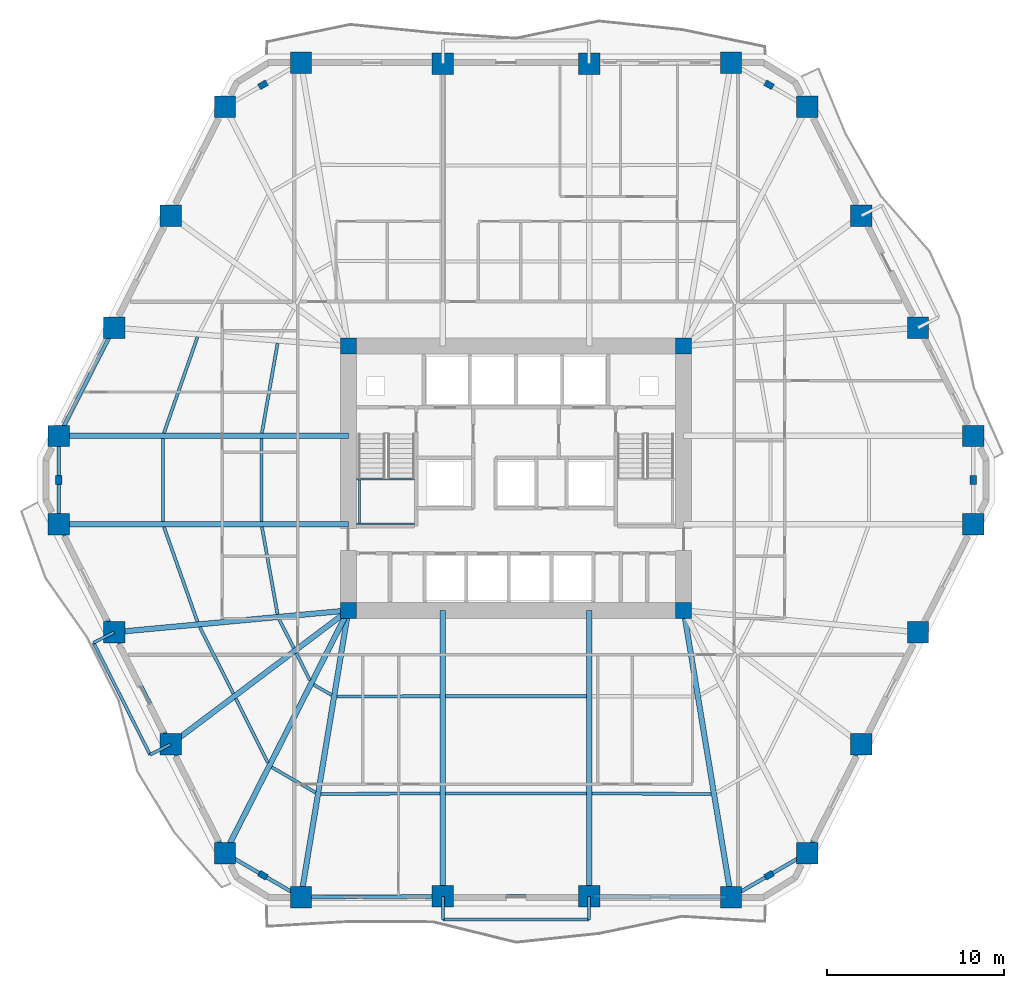
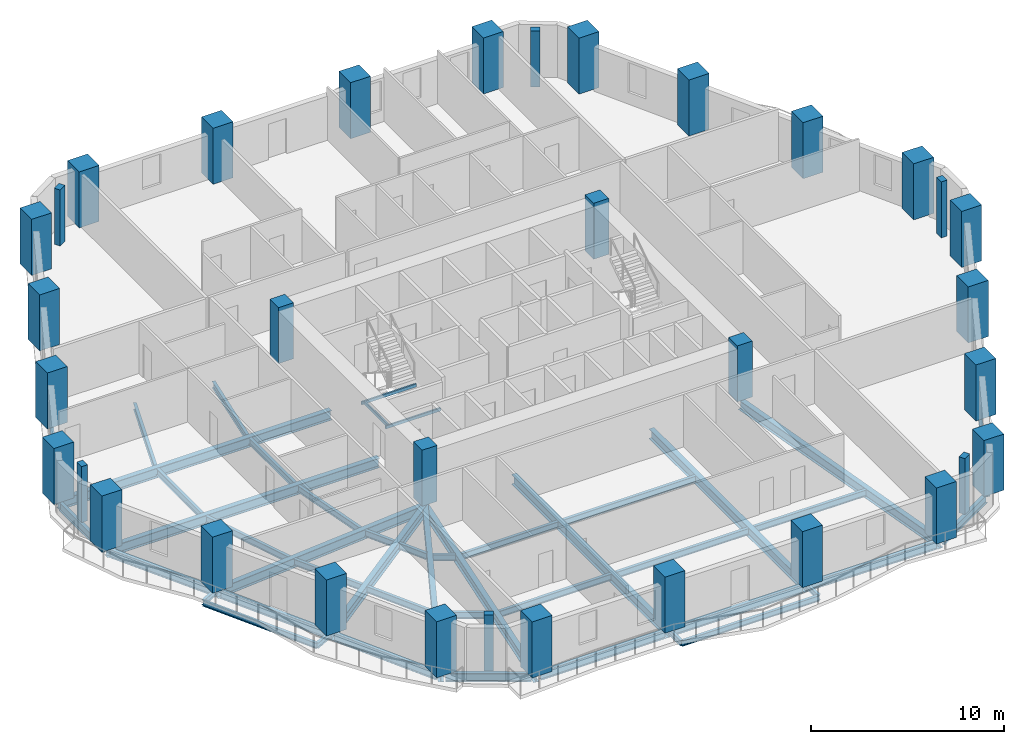
# One storey, part 1 of 11: 46 beams, 34 columns.
"""IFC4 building model written with IfcOpenShell, lengths in metres."""

from ifc_helpers import new_model, si_unit, direction, frame, origin, origin_2d, place, context, subcontext, project, spatial, rectangle, hollow_rectangle, i_section, extrude, material, material_profile, profile_set, type_object, element, save


model = new_model("IFC4")

# Units and contexts
model_context = context("Model", 3, precision=1e-05, world=origin(), true_north=direction((0.0, 1.0)))
body_context = subcontext(model_context, "Body", "Model", "MODEL_VIEW")
ifc_project = project(units=[si_unit("LENGTHUNIT", "METRE"), si_unit("AREAUNIT", "SQUARE_METRE"), si_unit("VOLUMEUNIT", "CUBIC_METRE"), si_unit("PLANEANGLEUNIT", "RADIAN"), si_unit("MASSUNIT", "GRAM", prefix="KILO")], contexts=[model_context])

# Site, building, storey
site_placement = place(None, origin())
site = spatial("IfcSite", under=ifc_project, at=site_placement, CompositionType="ELEMENT")
building_placement = place(site_placement, origin())
building = spatial("IfcBuilding", under=site, at=building_placement, Name="Cinnabar Lancet Tower", CompositionType="ELEMENT")
storey_placement = place(building_placement, frame((0.0, 0.0, 46.199951171875)))
storey = spatial("IfcBuildingStorey", under=building, at=storey_placement, Name="L11", CompositionType="ELEMENT", Elevation=46.199951171875)

# Columns
ifc_material_1 = material(Name="Concrete C80/95", Category="concrete")
ifc_material_profile_1 = material_profile(ifc_material_1, rectangle(XDim=0.89990234375, YDim=0.89990234375, at=origin_2d()), Name="RC-COL 900x900")
ifc_profile_set_1 = profile_set([ifc_material_profile_1], Name="Concrete C80/95")
column_type_1 = type_object("IfcColumnType", Name="STR-COL-CORE-900", PredefinedType="COLUMN", material=ifc_profile_set_1)
for number, where, z_axis, x_axis, name in (
    (1, (22.949951171875, 18.449951171875, 0.0), (0.0, 0.0, 1.0), (1.0, 0.0, 0.0), "L11 Core Corner Column SW"),
    (2, (41.85009765625, 18.449951171875, 0.0), (0.0, 0.0, 1.0), (1.0, 0.0, 0.0), "L11 Core Corner Column SE"),
    (3, (41.85009765625, 33.35009765625, 0.0), (0.0, 0.0, 1.0), (1.0, 0.0, 0.0), "L11 Core Corner Column NE"),
    (4, (22.949951171875, 33.35009765625, 0.0), (0.0, 0.0, 1.0), (1.0, 0.0, 0.0), "L11 Core Corner Column NW"),
):
    element("IfcColumn", number, at=place(storey_placement, frame(where, z_axis=z_axis, x_axis=x_axis)), inside=storey, type_object=column_type_1, Name=name, PredefinedType="COLUMN", context=body_context, shape_type="SweptSolid", body=[
        extrude(rectangle(XDim=0.89990234375, YDim=0.89990234375, at=origin_2d()), origin(), (0.0, 0.0, 1.0), 3.550048828125),
    ])
ifc_material_2 = material(Name="Concrete C60/75", Category="concrete")
ifc_material_profile_2 = material_profile(ifc_material_2, rectangle(XDim=0.5, YDim=0.35009765625, at=origin_2d()), Name="RC-PIL 500x350")
ifc_profile_set_2 = profile_set([ifc_material_profile_2], Name="Concrete C60/75")
column_type_2 = type_object("IfcColumnType", Name="STR-COL-PIL-500", PredefinedType="PILASTER", material=ifc_profile_set_2)
for number, where, z_axis, x_axis, name in (
    (5, (18.139892578125, 3.531005859375, 0.0), (0.0, 0.0, 1.0), (0.865195182343, -0.501435236546, 0.0), "L11 Chamfered Corner Pilaster 1"),
    (6, (46.659912109375, 3.531005859375, 0.0), (0.0, 0.0, 1.0), (0.865195182343, 0.501435236546, 0.0), "L11 Chamfered Corner Pilaster 2"),
    (7, (58.16796875, 25.800048828125, 0.0), (0.0, 0.0, 1.0), (0.0, 1.0, 0.0), "L11 Chamfered Corner Pilaster 3"),
    (8, (46.659912109375, 48.069091796875, 0.0), (0.0, 0.0, 1.0), (-0.865195182343, 0.501435236546, 0.0), "L11 Chamfered Corner Pilaster 4"),
    (9, (18.139892578125, 48.069091796875, 0.0), (0.0, 0.0, 1.0), (-0.865195182343, -0.501435236546, 0.0), "L11 Chamfered Corner Pilaster 5"),
    (10, (6.632080078125, 25.800048828125, 0.0), (0.0, 0.0, 1.0), (0.0, -1.0, 0.0), "L11 Chamfered Corner Pilaster 6"),
):
    element("IfcColumn", number, at=place(storey_placement, frame(where, z_axis=z_axis, x_axis=x_axis)), inside=storey, type_object=column_type_2, Name=name, PredefinedType="PILASTER", context=body_context, shape_type="SweptSolid", body=[
        extrude(rectangle(XDim=0.5, YDim=0.35009765625, at=origin_2d()), origin(), (0.0, 0.0, 1.0), 3.550048828125),
    ])
ifc_material_3 = material(Name="Concrete C80/95", Category="concrete")
ifc_material_profile_3 = material_profile(ifc_material_3, rectangle(XDim=1.199951171875, YDim=1.199951171875, at=origin_2d()), Name="RC-COL 1200x1200")
ifc_profile_set_3 = profile_set([ifc_material_profile_3], Name="Concrete C80/95")
column_type_3 = type_object("IfcColumnType", Name="STR-COL-TUBE-1200", PredefinedType="COLUMN", material=ifc_profile_set_3)
for number, where, z_axis, x_axis, name in (
    (11, (20.282958984375, 2.2890625, 0.0), (0.0, 0.0, 1.0), (1.0, 0.0, 0.0), "L11 Perimeter Tube Column 1"),
    (12, (28.278076171875, 2.342041015625, 0.0), (0.0, 0.0, 1.0), (1.0, 0.0, 0.0), "L11 Perimeter Tube Column 2"),
    (13, (36.52197265625, 2.342041015625, 0.0), (0.0, 0.0, 1.0), (1.0, 0.0, 0.0), "L11 Perimeter Tube Column 3"),
    (14, (44.51708984375, 2.2890625, 0.0), (0.0, 0.0, 1.0), (1.0, 0.0, 0.0), "L11 Perimeter Tube Column 4"),
    (15, (48.802978515625, 4.77294921875, 0.0), (0.0, 0.0, 1.0), (1.0, 0.0, 0.0), "L11 Perimeter Tube Column 5"),
    (16, (51.85888671875, 10.908935546875, 0.0), (0.0, 0.0, 1.0), (1.0, 0.0, 0.0), "L11 Perimeter Tube Column 6"),
    (17, (55.0458984375, 17.219970703125, 0.0), (0.0, 0.0, 1.0), (1.0, 0.0, 0.0), "L11 Perimeter Tube Column 7"),
    (18, (58.16796875, 23.31396484375, 0.0), (0.0, 0.0, 1.0), (1.0, 0.0, 0.0), "L11 Perimeter Tube Column 8"),
    (19, (58.16796875, 28.285888671875, 0.0), (0.0, 0.0, 1.0), (1.0, 0.0, 0.0), "L11 Perimeter Tube Column 9"),
    (20, (55.0458984375, 34.3798828125, 0.0), (0.0, 0.0, 1.0), (1.0, 0.0, 0.0), "L11 Perimeter Tube Column 10"),
    (21, (51.85888671875, 40.69091796875, 0.0), (0.0, 0.0, 1.0), (1.0, 0.0, 0.0), "L11 Perimeter Tube Column 11"),
    (22, (48.802978515625, 46.826904296875, 0.0), (0.0, 0.0, 1.0), (1.0, 0.0, 0.0), "L11 Perimeter Tube Column 12"),
    (23, (44.51708984375, 49.31103515625, 0.0), (0.0, 0.0, 1.0), (1.0, 0.0, 0.0), "L11 Perimeter Tube Column 13"),
    (24, (36.52197265625, 49.258056640625, 0.0), (0.0, 0.0, 1.0), (1.0, 0.0, 0.0), "L11 Perimeter Tube Column 14"),
    (25, (28.278076171875, 49.258056640625, 0.0), (0.0, 0.0, 1.0), (1.0, 0.0, 0.0), "L11 Perimeter Tube Column 15"),
    (26, (20.282958984375, 49.31103515625, 0.0), (0.0, 0.0, 1.0), (1.0, 0.0, 0.0), "L11 Perimeter Tube Column 16"),
    (27, (15.9970703125, 46.826904296875, 0.0), (0.0, 0.0, 1.0), (1.0, 0.0, 0.0), "L11 Perimeter Tube Column 17"),
    (28, (12.94091796875, 40.69091796875, 0.0), (0.0, 0.0, 1.0), (1.0, 0.0, 0.0), "L11 Perimeter Tube Column 18"),
    (29, (9.75390625, 34.3798828125, 0.0), (0.0, 0.0, 1.0), (1.0, 0.0, 0.0), "L11 Perimeter Tube Column 19"),
    (30, (6.632080078125, 28.285888671875, 0.0), (0.0, 0.0, 1.0), (1.0, 0.0, 0.0), "L11 Perimeter Tube Column 20"),
    (31, (6.632080078125, 23.31396484375, 0.0), (0.0, 0.0, 1.0), (1.0, 0.0, 0.0), "L11 Perimeter Tube Column 21"),
    (32, (9.75390625, 17.219970703125, 0.0), (0.0, 0.0, 1.0), (1.0, 0.0, 0.0), "L11 Perimeter Tube Column 22"),
    (33, (12.94091796875, 10.908935546875, 0.0), (0.0, 0.0, 1.0), (1.0, 0.0, 0.0), "L11 Perimeter Tube Column 23"),
    (34, (15.9970703125, 4.77294921875, 0.0), (0.0, 0.0, 1.0), (1.0, 0.0, 0.0), "L11 Perimeter Tube Column 24"),
):
    element("IfcColumn", number, at=place(storey_placement, frame(where, z_axis=z_axis, x_axis=x_axis)), inside=storey, type_object=column_type_3, Name=name, PredefinedType="COLUMN", context=body_context, shape_type="SweptSolid", body=[
        extrude(rectangle(XDim=1.199951171875, YDim=1.199951171875, at=origin_2d()), origin(), (0.0, 0.0, 1.0), 3.550048828125),
    ])

# Beams
ifc_material_4 = material(Name="Structural steel S355", Category="steel")
ifc_material_profile_4 = material_profile(ifc_material_4, i_section(OverallWidth=0.177978515625, OverallDepth=0.406494140625, WebThickness=0.0078125, FlangeThickness=0.0126953125, FilletRadius=0.01025390625, at=origin_2d()), Name="UKB 406x178x60")
ifc_profile_set_4 = profile_set([ifc_material_profile_4], Name="Structural steel S355")
beam_type_1 = type_object("IfcBeamType", Name="STR-BM-JST-406", PredefinedType="JOIST", material=ifc_profile_set_4)
beam_1_placement = place(storey_placement, frame((12.56103515625, 23.159912109375, -0.4228515625), z_axis=(0.333349133153, -0.942803455353, 0.0), x_axis=(0.942803455353, 0.333349133153, 0.0)))
element("IfcBeam", 35, at=beam_1_placement, inside=storey, type_object=beam_type_1, Name="L11 Secondary Floor Joist 1", PredefinedType="JOIST", context=body_context, shape_type="SweptSolid", body=[
    extrude(i_section(OverallWidth=0.177978515625, OverallDepth=0.406494140625, WebThickness=0.0078125, FlangeThickness=0.0126953125, FilletRadius=0.01025390625, at=origin_2d()), origin(), (0.0, 0.0, 1.0), 5.67236328125),
])
beam_2_placement = place(storey_placement, frame((18.08203125, 23.159912109375, -0.4228515625), z_axis=(0.176227857104, -0.984349400559, 0.0), x_axis=(0.984349400559, 0.176227857104, 0.0)))
element("IfcBeam", 36, at=beam_2_placement, inside=storey, type_object=beam_type_1, Name="L11 Secondary Floor Joist 2", PredefinedType="JOIST", context=body_context, shape_type="SweptSolid", body=[
    extrude(i_section(OverallWidth=0.177978515625, OverallDepth=0.406494140625, WebThickness=0.0078125, FlangeThickness=0.0126953125, FilletRadius=0.01025390625, at=origin_2d()), origin(), (0.0, 0.0, 1.0), 5.00537109375),
])
beam_3_placement = place(storey_placement, frame((14.5791015625, 17.51611328125, -0.4228515625), z_axis=(0.450717414682, -0.892666685893, 0.0), x_axis=(0.892666685893, 0.450717414682, 0.0)))
element("IfcBeam", 37, at=beam_3_placement, inside=storey, type_object=beam_type_1, Name="L11 Secondary Floor Joist 3", PredefinedType="JOIST", context=body_context, shape_type="SweptSolid", body=[
    extrude(i_section(OverallWidth=0.177978515625, OverallDepth=0.406494140625, WebThickness=0.0078125, FlangeThickness=0.0126953125, FilletRadius=0.01025390625, at=origin_2d()), origin(), (0.0, 0.0, 1.0), 4.204345703125),
])
beam_4_placement = place(storey_placement, frame((19.06591796875, 17.93408203125, -0.4228515625), z_axis=(0.450519589093, -0.892766542744, 0.0), x_axis=(0.892766542744, 0.450519589093, 0.0)))
element("IfcBeam", 38, at=beam_4_placement, inside=storey, type_object=beam_type_1, Name="L11 Secondary Floor Joist 4", PredefinedType="JOIST", context=body_context, shape_type="SweptSolid", body=[
    extrude(i_section(OverallWidth=0.177978515625, OverallDepth=0.406494140625, WebThickness=0.0078125, FlangeThickness=0.0126953125, FilletRadius=0.01025390625, at=origin_2d()), origin(), (0.0, 0.0, 1.0), 1.80029296875),
])
beam_5_placement = place(storey_placement, frame((16.614013671875, 13.48388671875, -0.4228515625), z_axis=(0.445835127839, -0.895115098065, 0.0), x_axis=(0.895115098065, 0.445835127839, 0.0)))
element("IfcBeam", 39, at=beam_5_placement, inside=storey, type_object=beam_type_1, Name="L11 Secondary Floor Joist 5", PredefinedType="JOIST", context=body_context, shape_type="SweptSolid", body=[
    extrude(i_section(OverallWidth=0.177978515625, OverallDepth=0.406494140625, WebThickness=0.0078125, FlangeThickness=0.0126953125, FilletRadius=0.01025390625, at=origin_2d()), origin(), (0.0, 0.0, 1.0), 4.03955078125),
])
beam_6_placement = place(storey_placement, frame((20.01708984375, 16.048095703125, -0.4228515625), z_axis=(0.44578468599, -0.895140220154, 0.0), x_axis=(0.895140220154, 0.44578468599, 0.0)))
element("IfcBeam", 40, at=beam_6_placement, inside=storey, type_object=beam_type_1, Name="L11 Secondary Floor Joist 6", PredefinedType="JOIST", context=body_context, shape_type="SweptSolid", body=[
    extrude(i_section(OverallWidth=0.177978515625, OverallDepth=0.406494140625, WebThickness=0.0078125, FlangeThickness=0.0126953125, FilletRadius=0.01025390625, at=origin_2d()), origin(), (0.0, 0.0, 1.0), 1.709228515625),
])
beam_7_placement = place(storey_placement, frame((18.633056640625, 9.6201171875, -0.4228515625), z_axis=(0.865076496111, -0.501639966387, 0.0), x_axis=(0.501639966387, 0.865076496111, 0.0)))
element("IfcBeam", 41, at=beam_7_placement, inside=storey, type_object=beam_type_1, Name="L11 Secondary Floor Joist 7", PredefinedType="JOIST", context=body_context, shape_type="SweptSolid", body=[
    extrude(i_section(OverallWidth=0.177978515625, OverallDepth=0.406494140625, WebThickness=0.0078125, FlangeThickness=0.0126953125, FilletRadius=0.01025390625, at=origin_2d()), origin(), (0.0, 0.0, 1.0), 2.85302734375),
])
beam_8_placement = place(storey_placement, frame((20.9970703125, 14.27001953125, -0.4228515625), z_axis=(0.865192550274, -0.50143977799, 0.0), x_axis=(0.50143977799, 0.865192550274, 0.0)))
element("IfcBeam", 42, at=beam_8_placement, inside=storey, type_object=beam_type_1, Name="L11 Secondary Floor Joist 8", PredefinedType="JOIST", context=body_context, shape_type="SweptSolid", body=[
    extrude(i_section(OverallWidth=0.177978515625, OverallDepth=0.406494140625, WebThickness=0.0078125, FlangeThickness=0.0126953125, FilletRadius=0.01025390625, at=origin_2d()), origin(), (0.0, 0.0, 1.0), 1.16845703125),
])
beam_9_placement = place(storey_placement, frame((21.39892578125, 8.10791015625, -0.4228515625), z_axis=(0.999988691939, 0.004755627628, 0.0), x_axis=(-0.004755627628, 0.999988691939, 0.0)))
element("IfcBeam", 43, at=beam_9_placement, inside=storey, type_object=beam_type_1, Name="L11 Secondary Floor Joist 9", PredefinedType="JOIST", context=body_context, shape_type="SweptSolid", body=[
    extrude(i_section(OverallWidth=0.177978515625, OverallDepth=0.406494140625, WebThickness=0.0078125, FlangeThickness=0.0126953125, FilletRadius=0.01025390625, at=origin_2d()), origin(), (0.0, 0.0, 1.0), 6.72509765625),
])
beam_10_placement = place(storey_placement, frame((22.305908203125, 13.60205078125, -0.4228515625), z_axis=(0.999996724007, 0.002559682773, 0.0), x_axis=(-0.002559682773, 0.999996724007, 0.0)))
element("IfcBeam", 44, at=beam_10_placement, inside=storey, type_object=beam_type_1, Name="L11 Secondary Floor Joist 10", PredefinedType="JOIST", context=body_context, shape_type="SweptSolid", body=[
    extrude(i_section(OverallWidth=0.177978515625, OverallDepth=0.406494140625, WebThickness=0.0078125, FlangeThickness=0.0126953125, FilletRadius=0.01025390625, at=origin_2d()), origin(), (0.0, 0.0, 1.0), 5.818115234375),
])
for number, where, z_axis, x_axis, name in (
    (45, (28.431884765625, 8.14111328125, -0.4228515625), (1.0, 0.0, 0.0), (0.0, 1.0, 0.0), "L11 Secondary Floor Joist 11"),
    (46, (28.431884765625, 13.617919921875, -0.4228515625), (1.0, 0.0, 0.0), (0.0, 1.0, 0.0), "L11 Secondary Floor Joist 12"),
):
    element("IfcBeam", number, at=place(storey_placement, frame(where, z_axis=z_axis, x_axis=x_axis)), inside=storey, type_object=beam_type_1, Name=name, PredefinedType="JOIST", context=body_context, shape_type="SweptSolid", body=[
        extrude(i_section(OverallWidth=0.177978515625, OverallDepth=0.406494140625, WebThickness=0.0078125, FlangeThickness=0.0126953125, FilletRadius=0.01025390625, at=origin_2d()), origin(), (0.0, 0.0, 1.0), 7.93603515625),
    ])
beam_11_placement = place(storey_placement, frame((36.676025390625, 8.139892578125, -0.4228515625), z_axis=(0.999988691118, -0.004755800274, 0.0), x_axis=(0.004755800274, 0.999988691118, 0.0)))
element("IfcBeam", 47, at=beam_11_placement, inside=storey, type_object=beam_type_1, Name="L11 Secondary Floor Joist 13", PredefinedType="JOIST", context=body_context, shape_type="SweptSolid", body=[
    extrude(i_section(OverallWidth=0.177978515625, OverallDepth=0.406494140625, WebThickness=0.0078125, FlangeThickness=0.0126953125, FilletRadius=0.01025390625, at=origin_2d()), origin(), (0.0, 0.0, 1.0), 6.724853515625),
])
beam_12_placement = place(storey_placement, frame((14.451904296875, 33.85888671875, -0.4228515625), z_axis=(-0.329607609001, -0.944118013857, 0.0), x_axis=(0.944118013857, -0.329607609001, 0.0)))
element("IfcBeam", 48, at=beam_12_placement, inside=storey, type_object=beam_type_1, Name="L11 Secondary Floor Joist 45", PredefinedType="JOIST", context=body_context, shape_type="SweptSolid", body=[
    extrude(i_section(OverallWidth=0.177978515625, OverallDepth=0.406494140625, WebThickness=0.0078125, FlangeThickness=0.0126953125, FilletRadius=0.01025390625, at=origin_2d()), origin(), (0.0, 0.0, 1.0), 5.73974609375),
])
beam_13_placement = place(storey_placement, frame((18.965087890625, 33.507080078125, -0.4228515625), z_axis=(-0.171867959611, -0.985119994954, 0.0), x_axis=(0.985119994954, -0.171867959611, 0.0)))
element("IfcBeam", 49, at=beam_13_placement, inside=storey, type_object=beam_type_1, Name="L11 Secondary Floor Joist 46", PredefinedType="JOIST", context=body_context, shape_type="SweptSolid", body=[
    extrude(i_section(OverallWidth=0.177978515625, OverallDepth=0.406494140625, WebThickness=0.0078125, FlangeThickness=0.0126953125, FilletRadius=0.01025390625, at=origin_2d()), origin(), (0.0, 0.0, 1.0), 5.1435546875),
])
for number, where, z_axis, x_axis, name in (
    (50, (12.506103515625, 28.132080078125, -0.4228515625), (0.0, -1.0, 0.0), (1.0, 0.0, 0.0), "L11 Secondary Floor Joist 47"),
    (51, (18.054931640625, 28.132080078125, -0.4228515625), (0.0, -1.0, 0.0), (1.0, 0.0, 0.0), "L11 Secondary Floor Joist 48"),
):
    element("IfcBeam", number, at=place(storey_placement, frame(where, z_axis=z_axis, x_axis=x_axis)), inside=storey, type_object=beam_type_1, Name=name, PredefinedType="JOIST", context=body_context, shape_type="SweptSolid", body=[
        extrude(i_section(OverallWidth=0.177978515625, OverallDepth=0.406494140625, WebThickness=0.0078125, FlangeThickness=0.0126953125, FilletRadius=0.01025390625, at=origin_2d()), origin(), (0.0, 0.0, 1.0), 4.6640625),
    ])
ifc_material_5 = material(Name="Structural steel S355", Category="steel")
ifc_material_profile_5 = material_profile(ifc_material_5, hollow_rectangle(XDim=0.10009765625, YDim=0.199951171875, WallThickness=0.008056640625, InnerFilletRadius=0.00390625, OuterFilletRadius=0.011962890625, at=origin_2d()), Name="RHS 200x100x8")
ifc_profile_set_5 = profile_set([ifc_material_profile_5], Name="Structural steel S355")
beam_type_2 = type_object("IfcBeamType", Name="STR-BM-LND-203", PredefinedType="BEAM", material=ifc_profile_set_5)
for number, where, z_axis, x_axis, name in (
    (52, (23.39990234375, 23.330078125, 1.47509765625), (1.0, 0.0, 0.0), (0.0, 1.0, 0.0), "L11 ST-1-L11 Landing Support Beam S"),
    (53, (23.39990234375, 25.844970703125, 1.47509765625), (1.0, 0.0, 0.0), (0.0, 1.0, 0.0), "L11 ST-1-L11 Landing Support Beam N"),
):
    element("IfcBeam", number, at=place(storey_placement, frame(where, z_axis=z_axis, x_axis=x_axis)), inside=storey, type_object=beam_type_2, Name=name, PredefinedType="BEAM", context=body_context, shape_type="SweptSolid", body=[
        extrude(hollow_rectangle(XDim=0.10009765625, YDim=0.199951171875, WallThickness=0.008056640625, InnerFilletRadius=0.00390625, OuterFilletRadius=0.011962890625, at=origin_2d()), origin(), (0.0, 0.0, 1.0), 3.280029296875),
    ])
beam_14_placement = place(storey_placement, frame((23.580078125, 23.3798828125, 1.47509765625), z_axis=(0.0, 1.0, 0.0), x_axis=(-1.0, 0.0, 0.0)))
element("IfcBeam", 54, at=beam_14_placement, inside=storey, type_object=beam_type_2, Name="L11 ST-1-L11 Landing Side Trimmer Beam", PredefinedType="BEAM", context=body_context, shape_type="SweptSolid", body=[
    extrude(hollow_rectangle(XDim=0.10009765625, YDim=0.199951171875, WallThickness=0.008056640625, InnerFilletRadius=0.00390625, OuterFilletRadius=0.011962890625, at=origin_2d()), origin(), (0.0, 0.0, 1.0), 2.4150390625),
])
ifc_material_6 = material(Name="Structural steel S355", Category="steel")
ifc_material_profile_6 = material_profile(ifc_material_6, i_section(OverallWidth=0.209228515625, OverallDepth=0.533203125, WebThickness=0.010009765625, FlangeThickness=0.015625, FilletRadius=0.0126953125, at=origin_2d()), Name="UKB 533x210x92")
ifc_profile_set_6 = profile_set([ifc_material_profile_6], Name="Structural steel S355")
beam_type_3 = type_object("IfcBeamType", Name="STR-BM-SPN-533", PredefinedType="SPANDREL", material=ifc_profile_set_6)
beam_15_placement = place(storey_placement, frame((20.532958984375, 2.291015625, -0.487060546875), z_axis=(0.99997856757, 0.006547090947, 0.0), x_axis=(-0.006547090947, 0.99997856757, 0.0)))
element("IfcBeam", 55, at=beam_15_placement, inside=storey, type_object=beam_type_3, Name="L11 Perimeter Spandrel 1", PredefinedType="SPANDREL", context=body_context, shape_type="SweptSolid", body=[
    extrude(i_section(OverallWidth=0.209228515625, OverallDepth=0.533203125, WebThickness=0.010009765625, FlangeThickness=0.015625, FilletRadius=0.0126953125, at=origin_2d()), origin(), (0.0, 0.0, 1.0), 7.495361328125),
])
beam_16_placement = place(storey_placement, frame((28.528076171875, 2.342041015625, -0.487060546875), z_axis=(1.0, 0.0, 0.0), x_axis=(0.0, 1.0, 0.0)))
element("IfcBeam", 56, at=beam_16_placement, inside=storey, type_object=beam_type_3, Name="L11 Perimeter Spandrel 2", PredefinedType="SPANDREL", context=body_context, shape_type="SweptSolid", body=[
    extrude(i_section(OverallWidth=0.209228515625, OverallDepth=0.533203125, WebThickness=0.010009765625, FlangeThickness=0.015625, FilletRadius=0.0126953125, at=origin_2d()), origin(), (0.0, 0.0, 1.0), 7.743896484375),
])
beam_17_placement = place(storey_placement, frame((36.77197265625, 2.340087890625, -0.487060546875), z_axis=(0.99997856757, -0.006547090947, 0.0), x_axis=(0.006547090947, 0.99997856757, 0.0)))
element("IfcBeam", 57, at=beam_17_placement, inside=storey, type_object=beam_type_3, Name="L11 Perimeter Spandrel 3", PredefinedType="SPANDREL", context=body_context, shape_type="SweptSolid", body=[
    extrude(i_section(OverallWidth=0.209228515625, OverallDepth=0.533203125, WebThickness=0.010009765625, FlangeThickness=0.015625, FilletRadius=0.0126953125, at=origin_2d()), origin(), (0.0, 0.0, 1.0), 7.495361328125),
])
beam_18_placement = place(storey_placement, frame((44.73291015625, 2.4140625, -0.487060546875), z_axis=(0.865171017323, 0.501476929463, 0.0), x_axis=(-0.501476929463, 0.865171017323, 0.0)))
element("IfcBeam", 58, at=beam_18_placement, inside=storey, type_object=beam_type_3, Name="L11 Perimeter Spandrel 4", PredefinedType="SPANDREL", context=body_context, shape_type="SweptSolid", body=[
    extrude(i_section(OverallWidth=0.209228515625, OverallDepth=0.533203125, WebThickness=0.010009765625, FlangeThickness=0.015625, FilletRadius=0.0126953125, at=origin_2d()), origin(), (0.0, 0.0, 1.0), 4.45458984375),
])
beam_19_placement = place(storey_placement, frame((48.9140625, 4.9970703125, -0.487060546875), z_axis=(0.445953050023, 0.89505635419, 0.0), x_axis=(-0.89505635419, 0.445953050023, 0.0)))
element("IfcBeam", 59, at=beam_19_placement, inside=storey, type_object=beam_type_3, Name="L11 Perimeter Spandrel 5", PredefinedType="SPANDREL", context=body_context, shape_type="SweptSolid", body=[
    extrude(i_section(OverallWidth=0.209228515625, OverallDepth=0.533203125, WebThickness=0.010009765625, FlangeThickness=0.015625, FilletRadius=0.0126953125, at=origin_2d()), origin(), (0.0, 0.0, 1.0), 6.35498046875),
])
beam_20_placement = place(storey_placement, frame((9.639892578125, 34.156982421875, -0.487060546875), z_axis=(-0.455994051912, -0.889982822655, 0.0), x_axis=(0.889982822655, -0.455994051912, 0.0)))
element("IfcBeam", 60, at=beam_20_placement, inside=storey, type_object=beam_type_3, Name="L11 Perimeter Spandrel 19", PredefinedType="SPANDREL", context=body_context, shape_type="SweptSolid", body=[
    extrude(i_section(OverallWidth=0.209228515625, OverallDepth=0.533203125, WebThickness=0.010009765625, FlangeThickness=0.015625, FilletRadius=0.0126953125, at=origin_2d()), origin(), (0.0, 0.0, 1.0), 6.34619140625),
])
beam_21_placement = place(storey_placement, frame((6.632080078125, 28.035888671875, -0.487060546875), z_axis=(0.0, -1.0, 0.0), x_axis=(1.0, 0.0, 0.0)))
element("IfcBeam", 61, at=beam_21_placement, inside=storey, type_object=beam_type_3, Name="L11 Perimeter Spandrel 20", PredefinedType="SPANDREL", context=body_context, shape_type="SweptSolid", body=[
    extrude(i_section(OverallWidth=0.209228515625, OverallDepth=0.533203125, WebThickness=0.010009765625, FlangeThickness=0.015625, FilletRadius=0.0126953125, at=origin_2d()), origin(), (0.0, 0.0, 1.0), 4.471923828125),
])
beam_22_placement = place(storey_placement, frame((6.74609375, 23.091064453125, -0.487060546875), z_axis=(0.455994051912, -0.889982822655, 0.0), x_axis=(0.889982822655, 0.455994051912, 0.0)))
element("IfcBeam", 62, at=beam_22_placement, inside=storey, type_object=beam_type_3, Name="L11 Perimeter Spandrel 21", PredefinedType="SPANDREL", context=body_context, shape_type="SweptSolid", body=[
    extrude(i_section(OverallWidth=0.209228515625, OverallDepth=0.533203125, WebThickness=0.010009765625, FlangeThickness=0.015625, FilletRadius=0.0126953125, at=origin_2d()), origin(), (0.0, 0.0, 1.0), 6.34619140625),
])
beam_23_placement = place(storey_placement, frame((9.866943359375, 16.9970703125, -0.487060546875), z_axis=(0.450673532306, -0.892688841242, 0.0), x_axis=(0.892688841242, 0.450673532306, 0.0)))
element("IfcBeam", 63, at=beam_23_placement, inside=storey, type_object=beam_type_3, Name="L11 Perimeter Spandrel 22", PredefinedType="SPANDREL", context=body_context, shape_type="SweptSolid", body=[
    extrude(i_section(OverallWidth=0.209228515625, OverallDepth=0.533203125, WebThickness=0.010009765625, FlangeThickness=0.015625, FilletRadius=0.0126953125, at=origin_2d()), origin(), (0.0, 0.0, 1.0), 6.570068359375),
])
beam_24_placement = place(storey_placement, frame((13.052001953125, 10.68505859375, -0.487060546875), z_axis=(0.445953050023, -0.89505635419, 0.0), x_axis=(0.89505635419, 0.445953050023, 0.0)))
element("IfcBeam", 64, at=beam_24_placement, inside=storey, type_object=beam_type_3, Name="L11 Perimeter Spandrel 23", PredefinedType="SPANDREL", context=body_context, shape_type="SweptSolid", body=[
    extrude(i_section(OverallWidth=0.209228515625, OverallDepth=0.533203125, WebThickness=0.010009765625, FlangeThickness=0.015625, FilletRadius=0.0126953125, at=origin_2d()), origin(), (0.0, 0.0, 1.0), 6.35498046875),
])
beam_25_placement = place(storey_placement, frame((16.212890625, 4.64794921875, -0.487060546875), z_axis=(0.865171017323, -0.501476929463, 0.0), x_axis=(0.501476929463, 0.865171017323, 0.0)))
element("IfcBeam", 65, at=beam_25_placement, inside=storey, type_object=beam_type_3, Name="L11 Perimeter Spandrel 24", PredefinedType="SPANDREL", context=body_context, shape_type="SweptSolid", body=[
    extrude(i_section(OverallWidth=0.209228515625, OverallDepth=0.533203125, WebThickness=0.010009765625, FlangeThickness=0.015625, FilletRadius=0.0126953125, at=origin_2d()), origin(), (0.0, 0.0, 1.0), 4.45458984375),
])
ifc_material_7 = material(Name="Structural steel S355", Category="steel")
ifc_material_profile_7 = material_profile(ifc_material_7, i_section(OverallWidth=0.30712890625, OverallDepth=0.6201171875, WebThickness=0.01416015625, FlangeThickness=0.023681640625, FilletRadius=0.0166015625, at=origin_2d()), Name="UKB 610x305x179")
ifc_profile_set_7 = profile_set([ifc_material_profile_7], Name="Structural steel S355")
beam_type_4 = type_object("IfcBeamType", Name="STR-BM-UKB610-179", PredefinedType="BEAM", material=ifc_profile_set_7)
beam_26_placement = place(storey_placement, frame((12.94091796875, 10.908935546875, -0.530029296875), z_axis=(0.798686588468, 0.601747233812, 0.0), x_axis=(-0.601747233812, 0.798686588468, 0.0)))
element("IfcBeam", 66, at=beam_26_placement, inside=storey, type_object=beam_type_4, Name="L11 Corner Collector Girder 1", PredefinedType="BEAM", context=body_context, shape_type="SweptSolid", body=[
    extrude(i_section(OverallWidth=0.30712890625, OverallDepth=0.6201171875, WebThickness=0.01416015625, FlangeThickness=0.023681640625, FilletRadius=0.0166015625, at=origin_2d()), origin(), (0.0, 0.0, 1.0), 12.531982421875),
])
beam_27_placement = place(storey_placement, frame((20.282958984375, 2.2890625, -0.530029296875), z_axis=(0.162825264118, 0.986654921117, 0.0), x_axis=(-0.986654921117, 0.162825264118, 0.0)))
element("IfcBeam", 67, at=beam_27_placement, inside=storey, type_object=beam_type_4, Name="L11 Primary Floor Girder 1", PredefinedType="BEAM", context=body_context, shape_type="SweptSolid", body=[
    extrude(i_section(OverallWidth=0.30712890625, OverallDepth=0.6201171875, WebThickness=0.01416015625, FlangeThickness=0.023681640625, FilletRadius=0.0166015625, at=origin_2d()), origin(), (0.0, 0.0, 1.0), 16.37939453125),
])
for number, where, z_axis, x_axis, name in (
    (68, (28.278076171875, 2.342041015625, -0.530029296875), (0.0, 1.0, 0.0), (-1.0, 0.0, 0.0), "L11 Primary Floor Girder 2"),
    (69, (36.52197265625, 2.342041015625, -0.530029296875), (0.0, 1.0, 0.0), (-1.0, 0.0, 0.0), "L11 Primary Floor Girder 3"),
):
    element("IfcBeam", number, at=place(storey_placement, frame(where, z_axis=z_axis, x_axis=x_axis)), inside=storey, type_object=beam_type_4, Name=name, PredefinedType="BEAM", context=body_context, shape_type="SweptSolid", body=[
        extrude(i_section(OverallWidth=0.30712890625, OverallDepth=0.6201171875, WebThickness=0.01416015625, FlangeThickness=0.023681640625, FilletRadius=0.0166015625, at=origin_2d()), origin(), (0.0, 0.0, 1.0), 16.10791015625),
    ])
beam_28_placement = place(storey_placement, frame((44.51708984375, 2.2890625, -0.530029296875), z_axis=(-0.162825264118, 0.986654921117, 0.0), x_axis=(-0.986654921117, -0.162825264118, 0.0)))
element("IfcBeam", 70, at=beam_28_placement, inside=storey, type_object=beam_type_4, Name="L11 Primary Floor Girder 4", PredefinedType="BEAM", context=body_context, shape_type="SweptSolid", body=[
    extrude(i_section(OverallWidth=0.30712890625, OverallDepth=0.6201171875, WebThickness=0.01416015625, FlangeThickness=0.023681640625, FilletRadius=0.0166015625, at=origin_2d()), origin(), (0.0, 0.0, 1.0), 16.37939453125),
])
for number, where, z_axis, x_axis, name in (
    (71, (6.632080078125, 28.285888671875, -0.530029296875), (1.0, 0.0, 0.0), (0.0, 1.0, 0.0), "L11 Primary Floor Girder 20"),
    (72, (6.632080078125, 23.31396484375, -0.530029296875), (1.0, 0.0, 0.0), (0.0, 1.0, 0.0), "L11 Primary Floor Girder 21"),
):
    element("IfcBeam", number, at=place(storey_placement, frame(where, z_axis=z_axis, x_axis=x_axis)), inside=storey, type_object=beam_type_4, Name=name, PredefinedType="BEAM", context=body_context, shape_type="SweptSolid", body=[
        extrude(i_section(OverallWidth=0.30712890625, OverallDepth=0.6201171875, WebThickness=0.01416015625, FlangeThickness=0.023681640625, FilletRadius=0.0166015625, at=origin_2d()), origin(), (0.0, 0.0, 1.0), 16.31787109375),
    ])
beam_29_placement = place(storey_placement, frame((9.75390625, 17.219970703125, -0.530029296875), z_axis=(0.995684210255, 0.092805998987, 0.0), x_axis=(-0.092805998987, 0.995684210255, 0.0)))
element("IfcBeam", 73, at=beam_29_placement, inside=storey, type_object=beam_type_4, Name="L11 Primary Floor Girder 22", PredefinedType="BEAM", context=body_context, shape_type="SweptSolid", body=[
    extrude(i_section(OverallWidth=0.30712890625, OverallDepth=0.6201171875, WebThickness=0.01416015625, FlangeThickness=0.023681640625, FilletRadius=0.0166015625, at=origin_2d()), origin(), (0.0, 0.0, 1.0), 13.253173828125),
])
beam_30_placement = place(storey_placement, frame((15.9970703125, 4.77294921875, -0.530029296875), z_axis=(0.453167599586, 0.89142533433, 0.0), x_axis=(-0.89142533433, 0.453167599586, 0.0)))
element("IfcBeam", 74, at=beam_30_placement, inside=storey, type_object=beam_type_4, Name="L11 Primary Floor Girder 24", PredefinedType="BEAM", context=body_context, shape_type="SweptSolid", body=[
    extrude(i_section(OverallWidth=0.30712890625, OverallDepth=0.6201171875, WebThickness=0.01416015625, FlangeThickness=0.023681640625, FilletRadius=0.0166015625, at=origin_2d()), origin(), (0.0, 0.0, 1.0), 15.3427734375),
])
ifc_material_8 = material(Name="Structural steel S355", Category="steel")
ifc_material_profile_8 = material_profile(ifc_material_8, i_section(OverallWidth=0.17138671875, OverallDepth=0.35498046875, WebThickness=0.00732421875, FlangeThickness=0.011474609375, FilletRadius=0.01025390625, at=origin_2d()), Name="UKB 356x171x51")
ifc_profile_set_8 = profile_set([ifc_material_profile_8], Name="Structural steel S355")
beam_type_5 = type_object("IfcBeamType", Name="STR-BM-WAV-OUT", PredefinedType="BEAM", material=ifc_profile_set_8)
for number, where, z_axis, x_axis, name in (
    (75, (28.278076171875, 2.342041015625, -0.39794921875), (0.0, -1.0, 0.0), (1.0, 0.0, 0.0), "L11 Face 1 Balcony Outlooker A"),
    (76, (36.52197265625, 2.342041015625, -0.39794921875), (0.0, -1.0, 0.0), (1.0, 0.0, 0.0), "L11 Face 1 Balcony Outlooker B"),
    (77, (9.75390625, 17.219970703125, -0.39794921875), (-0.89227592947, -0.451490493464, 0.0), (0.451490493464, -0.89227592947, 0.0), "L11 Face 6 Balcony Outlooker A"),
    (78, (12.94091796875, 10.908935546875, -0.39794921875), (-0.89227592947, -0.451490493464, 0.0), (0.451490493464, -0.89227592947, 0.0), "L11 Face 6 Balcony Outlooker B"),
):
    element("IfcBeam", number, at=place(storey_placement, frame(where, z_axis=z_axis, x_axis=x_axis)), inside=storey, type_object=beam_type_5, Name=name, PredefinedType="BEAM", context=body_context, shape_type="SweptSolid", body=[
        extrude(i_section(OverallWidth=0.17138671875, OverallDepth=0.35498046875, WebThickness=0.00732421875, FlangeThickness=0.011474609375, FilletRadius=0.01025390625, at=origin_2d()), origin(), (0.0, 0.0, 1.0), 1.300048828125),
    ])
ifc_material_9 = material(Name="Structural steel S355", Category="steel")
ifc_material_profile_9 = material_profile(ifc_material_9, i_section(OverallWidth=0.17138671875, OverallDepth=0.35498046875, WebThickness=0.00732421875, FlangeThickness=0.011474609375, FilletRadius=0.01025390625, at=origin_2d()), Name="UKB 356x171x51")
ifc_profile_set_9 = profile_set([ifc_material_profile_9], Name="Structural steel S355")
beam_type_6 = type_object("IfcBeamType", Name="STR-BM-WAV-TRIM", PredefinedType="SPANDREL", material=ifc_profile_set_9)
beam_31_placement = place(storey_placement, frame((28.278076171875, 1.0419921875, -0.39794921875), z_axis=(1.0, 0.0, 0.0), x_axis=(0.0, 1.0, 0.0)))
element("IfcBeam", 79, at=beam_31_placement, inside=storey, type_object=beam_type_6, Name="L11 Face 1 Balcony Edge Trimmer", PredefinedType="SPANDREL", context=body_context, shape_type="SweptSolid", body=[
    extrude(i_section(OverallWidth=0.17138671875, OverallDepth=0.35498046875, WebThickness=0.00732421875, FlangeThickness=0.011474609375, FilletRadius=0.01025390625, at=origin_2d()), origin(), (0.0, 0.0, 1.0), 8.243896484375),
])
beam_32_placement = place(storey_placement, frame((8.593994140625, 16.633056640625, -0.39794921875), z_axis=(0.450773692627, -0.892638268301, 0.0), x_axis=(0.892638268301, 0.450773692627, 0.0)))
element("IfcBeam", 80, at=beam_32_placement, inside=storey, type_object=beam_type_6, Name="L11 Face 6 Balcony Edge Trimmer", PredefinedType="SPANDREL", context=body_context, shape_type="SweptSolid", body=[
    extrude(i_section(OverallWidth=0.17138671875, OverallDepth=0.35498046875, WebThickness=0.00732421875, FlangeThickness=0.011474609375, FilletRadius=0.01025390625, at=origin_2d()), origin(), (0.0, 0.0, 1.0), 7.070068359375),
])

save(model, "model.ifc")
